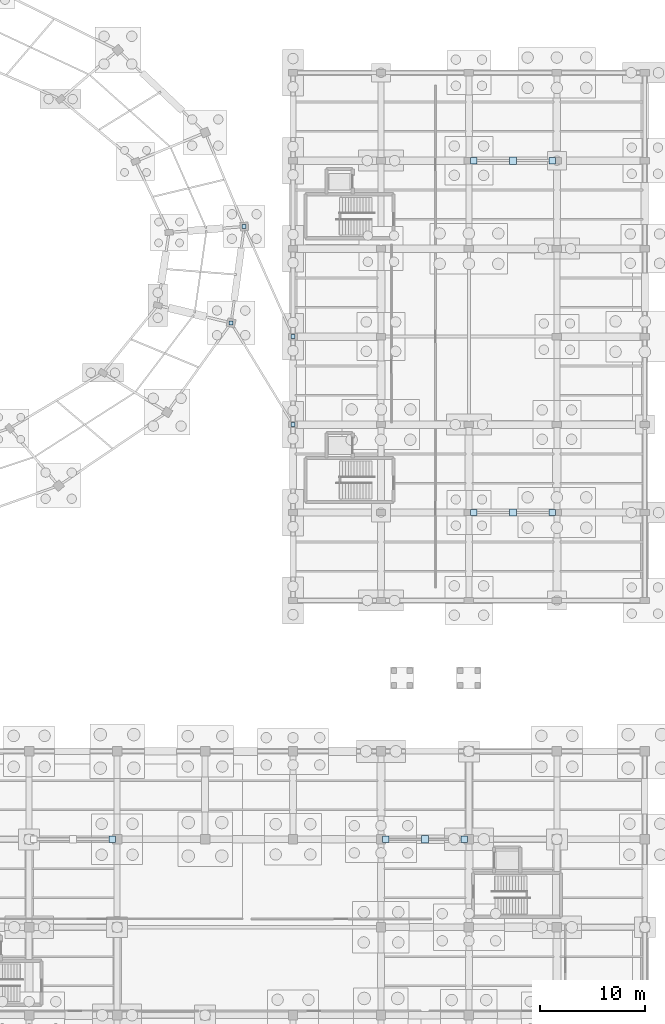
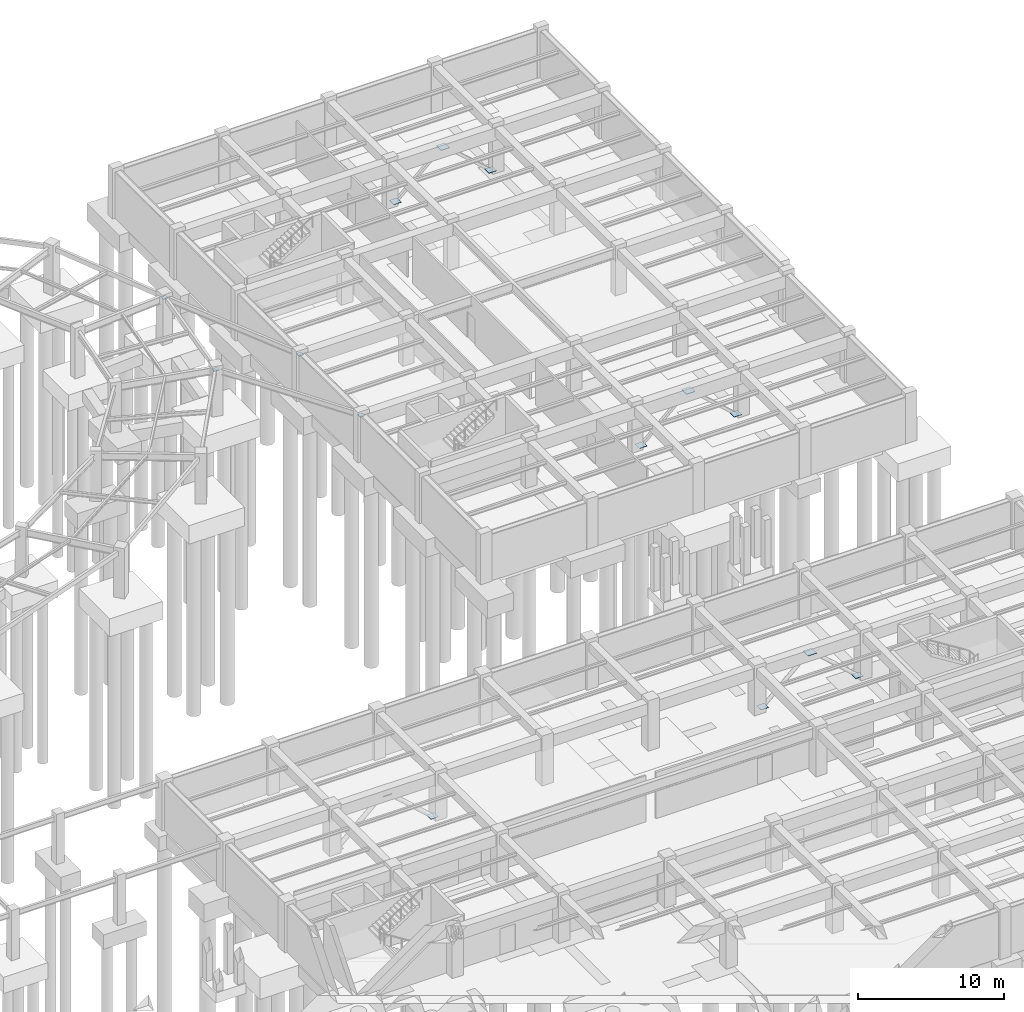
# One storey, part 24 of 38: 14 plates.
"""IFC4 building model written with IfcOpenShell, lengths in metres."""

from ifc_helpers import new_model, si_unit, direction, frame, origin, origin_2d, place, context, subcontext, project, spatial, rectangle, extrude, material, layer, layer_set, type_object, element, save


model = new_model("IFC4")

# Units and contexts
model_context = context("Model", 3, precision=1e-05, world=origin(), true_north=direction((0.0, 1.0)))
body_context = subcontext(model_context, "Body", "Model", "MODEL_VIEW")
ifc_project = project(units=[si_unit("LENGTHUNIT", "METRE"), si_unit("AREAUNIT", "SQUARE_METRE"), si_unit("VOLUMEUNIT", "CUBIC_METRE"), si_unit("PLANEANGLEUNIT", "RADIAN"), si_unit("MASSUNIT", "GRAM", prefix="KILO"), si_unit("THERMODYNAMICTEMPERATUREUNIT", "KELVIN"), si_unit("POWERUNIT", "WATT")], contexts=[model_context])

# Site, building, storey
site_placement = place(None, origin())
site = spatial("IfcSite", under=ifc_project, at=site_placement, CompositionType="ELEMENT")
building_placement = place(site_placement, origin())
building = spatial("IfcBuilding", under=site, at=building_placement, Name="Darbajah Civic Hall", CompositionType="ELEMENT")
storey_placement = place(building_placement, frame((0.0, 0.0, -4.199951171875)))
storey = spatial("IfcBuildingStorey", under=building, at=storey_placement, Name="B01", CompositionType="ELEMENT", Elevation=-4.199951171875)

# Plates
ifc_material = material(Name="Steel S355JR", Category="steel")
ifc_layer_1 = layer(ifc_material, 0.02490234375, Name="Steel S355JR")
ifc_layer_set_1 = layer_set([ifc_layer_1], Name="Steel S355JR")
plate_type_1 = type_object("IfcPlateType", Name="Steel Gusset Plate 380x380x25", PredefinedType="SHEET", material=ifc_layer_set_1)
for number, where, z_axis, x_axis, name in (
    (1, (139.94287109375, 92.114501953125, 3.637451171875), (0.0, 0.0, 1.0), (1.0, 0.0, 0.0), "Link walk PTFE sliding bearing seat plate SBG-05"),
    (2, (144.60009765625, 81.60009765625, 3.637451171875), (0.0, 0.0, 1.0), (1.0, 0.0, 0.0), "Link walk PTFE sliding bearing seat plate SBG-06"),
    (3, (138.69091796875, 82.913330078125, 3.637451171875), (0.0, 0.0, 1.0), (1.0, 0.0, 0.0), "Link walk PTFE sliding bearing seat plate SBG-07"),
    (4, (144.60009765625, 73.199951171875, 3.637451171875), (0.0, 0.0, 1.0), (1.0, 0.0, 0.0), "Link walk PTFE sliding bearing seat plate SBG-08"),
):
    element("IfcPlate", number, at=place(storey_placement, frame(where, z_axis=z_axis, x_axis=x_axis)), inside=storey, type_object=plate_type_1, Name=name, PredefinedType="SHEET", context=body_context, shape_type="SweptSolid", body=[
        extrude(rectangle(XDim=0.3798828125, YDim=0.3798828125, at=origin_2d()), origin(), (0.0, 0.0, 1.0), 0.02490234375),
    ])
ifc_layer_2 = layer(ifc_material, 0.030029296875, Name="Steel S355JR")
ifc_layer_set_2 = layer_set([ifc_layer_2], Name="Steel S355JR")
plate_type_2 = type_object("IfcPlateType", Name="Steel Gusset Plate 600x600x30", PredefinedType="SHEET", material=ifc_layer_set_2)
for number, where, z_axis, x_axis, name in (
    (5, (127.35009765625, 33.60009765625, 0.18505859375), (0.0, 0.0, 1.0), (1.0, 0.0, 0.0), "B01 chevron gusset plate BR-B01-1-BR"),
    (6, (153.449951171875, 33.60009765625, 0.18505859375), (0.0, 0.0, 1.0), (1.0, 0.0, 0.0), "B01 chevron gusset plate BR-B01-2-BL"),
    (7, (160.949951171875, 33.60009765625, 0.18505859375), (0.0, 0.0, 1.0), (1.0, 0.0, 0.0), "B01 chevron gusset plate BR-B01-2-BR"),
    (8, (161.85009765625, 64.800048828125, 0.18505859375), (0.0, 0.0, 1.0), (1.0, 0.0, 0.0), "B01 chevron gusset plate BR-B01-5-BL"),
    (9, (169.35009765625, 64.800048828125, 0.18505859375), (0.0, 0.0, 1.0), (1.0, 0.0, 0.0), "B01 chevron gusset plate BR-B01-5-BR"),
    (10, (161.85009765625, 98.39990234375, 0.18505859375), (0.0, 0.0, 1.0), (1.0, 0.0, 0.0), "B01 chevron gusset plate BR-B01-6-BL"),
    (11, (169.35009765625, 98.39990234375, 0.18505859375), (0.0, 0.0, 1.0), (1.0, 0.0, 0.0), "B01 chevron gusset plate BR-B01-6-BR"),
):
    element("IfcPlate", number, at=place(storey_placement, frame(where, z_axis=z_axis, x_axis=x_axis)), inside=storey, type_object=plate_type_2, Name=name, PredefinedType="SHEET", context=body_context, shape_type="SweptSolid", body=[
        extrude(rectangle(XDim=0.60009765625, YDim=0.60009765625, at=origin_2d()), origin(), (0.0, 0.0, 1.0), 0.030029296875),
    ])
ifc_layer_3 = layer(ifc_material, 0.034912109375, Name="Steel S355JR")
ifc_layer_set_3 = layer_set([ifc_layer_3], Name="Steel S355JR")
plate_type_3 = type_object("IfcPlateType", Name="Steel Gusset Plate 680x680x35", PredefinedType="SHEET", material=ifc_layer_set_3)
for number, where, z_axis, x_axis, name in (
    (12, (157.199951171875, 33.60009765625, 3.4326171875), (0.0, 0.0, 1.0), (1.0, 0.0, 0.0), "B01 chevron gusset plate BR-B01-2-TOP"),
    (13, (165.60009765625, 64.800048828125, 3.4326171875), (0.0, 0.0, 1.0), (1.0, 0.0, 0.0), "B01 chevron gusset plate BR-B01-5-TOP"),
    (14, (165.60009765625, 98.39990234375, 3.4326171875), (0.0, 0.0, 1.0), (1.0, 0.0, 0.0), "B01 chevron gusset plate BR-B01-6-TOP"),
):
    element("IfcPlate", number, at=place(storey_placement, frame(where, z_axis=z_axis, x_axis=x_axis)), inside=storey, type_object=plate_type_3, Name=name, PredefinedType="SHEET", context=body_context, shape_type="SweptSolid", body=[
        extrude(rectangle(XDim=0.679931640625, YDim=0.679931640625, at=origin_2d()), origin(), (0.0, 0.0, 1.0), 0.034912109375),
    ])

save(model, "model.ifc")
